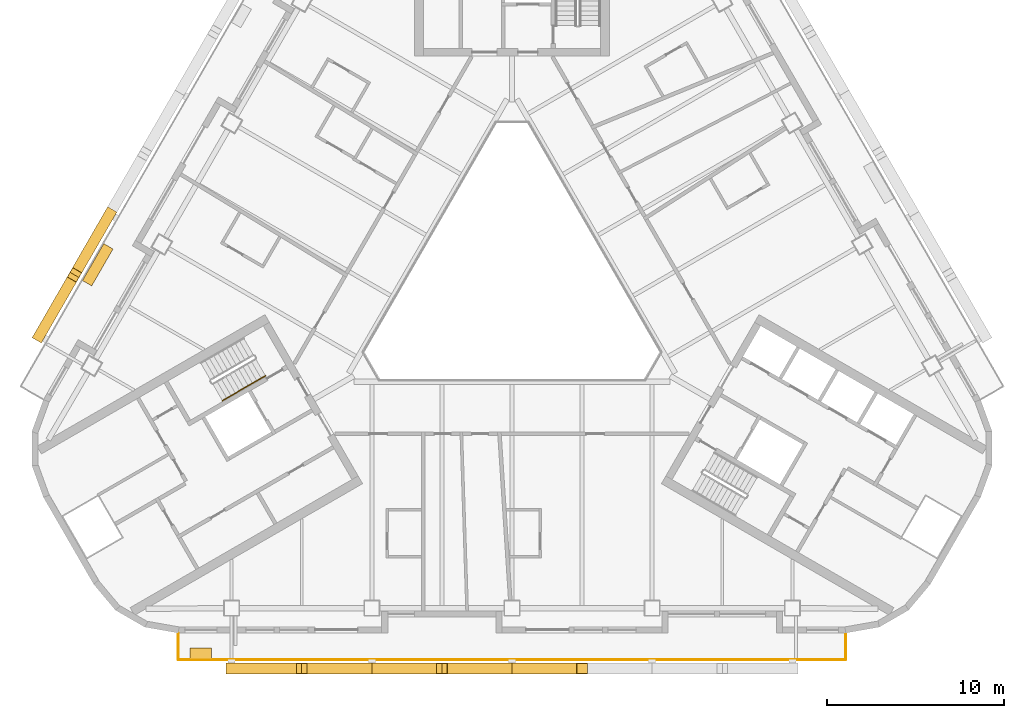
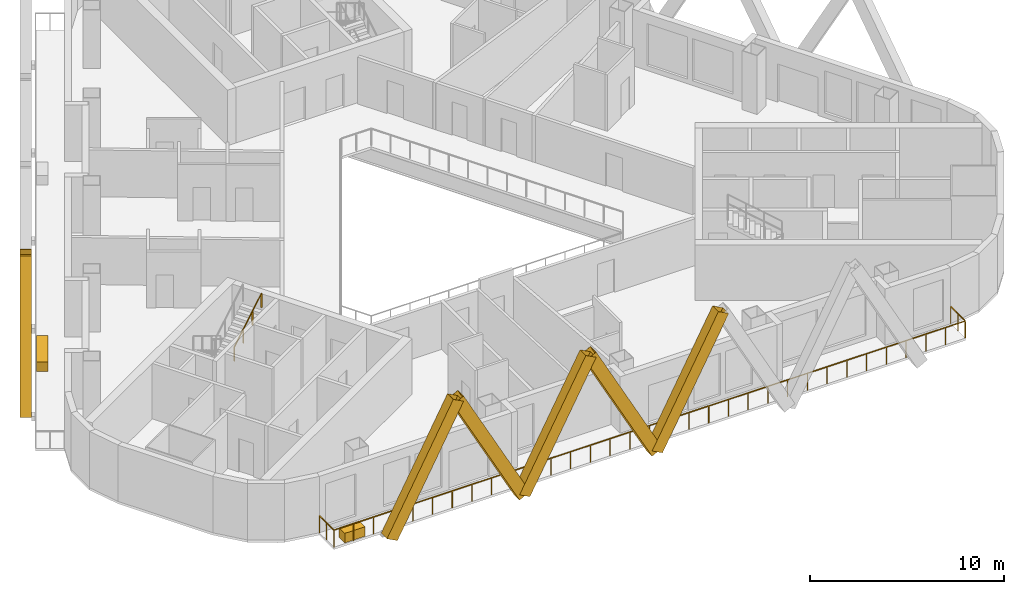
# One storey, part 8 of 13: 7 shading devices, 2 coverings, 2 railings.
"""IFC4 building model written with IfcOpenShell, lengths in metres."""

from ifc_helpers import new_model, si_unit, direction, frame, origin, origin_2d, place, context, subcontext, project, spatial, rectangle, hollow_rectangle, circle, extrude, material, material_profile, profile_set, type_object, element, save


model = new_model("IFC4")

# Units and contexts
model_context = context("Model", 3, precision=1e-05, world=origin(), true_north=direction((0.0, 1.0)))
body_context = subcontext(model_context, "Body", "Model", "MODEL_VIEW")
ifc_project = project(units=[si_unit("LENGTHUNIT", "METRE"), si_unit("AREAUNIT", "SQUARE_METRE"), si_unit("VOLUMEUNIT", "CUBIC_METRE"), si_unit("PLANEANGLEUNIT", "RADIAN"), si_unit("MASSUNIT", "GRAM", prefix="KILO")], contexts=[model_context])

# Site, building, storey
site_placement = place(None, origin())
site = spatial("IfcSite", under=ifc_project, at=site_placement, CompositionType="ELEMENT")
building_placement = place(site_placement, origin())
building = spatial("IfcBuilding", under=site, at=building_placement, Name="Apuvela Tower Hotel", CompositionType="ELEMENT")
storey_placement = place(building_placement, frame((0.0, 0.0, 105.699951171875)))
storey = spatial("IfcBuildingStorey", under=building, at=storey_placement, Name="L24", CompositionType="ELEMENT", Elevation=105.699951171875)

# Railing
ifc_material_1 = material(Name="Stainless steel 316 handrail", Category="steel")
railing_type_1 = type_object("IfcRailingType", Name="COR-HANDRAIL-900", PredefinedType="HANDRAIL", material=ifc_material_1)
railing_1_placement = place(storey_placement, frame((-16.31884765625, -6.534912109375, 2.018310546875)))
element("IfcRailing", 1, at=railing_1_placement, inside=storey, type_object=railing_type_1, Name="L24 ST2 stair handrail 2", PredefinedType="HANDRAIL", context=body_context, shape_type="SweptSolid", body=[
    extrude(circle(Radius=0.02392578125, at=origin_2d()), frame((0.0, 0.0, 0.8759765625), z_axis=(0.74241905619, 0.428617687091, 0.514879426), x_axis=(-0.49998411664, 0.866034573852, 0.0)), (0.0, 0.0, 1.0), 3.26611328125),
    extrude(rectangle(XDim=0.0419921875, YDim=0.0419921875, at=origin_2d()), origin(), (0.0, 0.0, 1.0), 0.851806640625),
    extrude(rectangle(XDim=0.0419921875, YDim=0.0419921875, at=origin_2d()), frame((0.808349609375, 0.466552734375, 0.560546875)), (0.0, 0.0, 1.0), 0.851806640625),
    extrude(rectangle(XDim=0.0419921875, YDim=0.0419921875, at=origin_2d()), frame((1.616455078125, 0.933349609375, 1.12109375)), (0.0, 0.0, 1.0), 0.851806640625),
    extrude(rectangle(XDim=0.0419921875, YDim=0.0419921875, at=origin_2d()), frame((2.4248046875, 1.39990234375, 1.681640625)), (0.0, 0.0, 1.0), 0.851806640625),
])

# Shading devices
ifc_material_2 = material(Name="Aluminium 6063-T6, black anodised", Category="aluminium")
ifc_material_profile = material_profile(ifc_material_2, hollow_rectangle(XDim=0.60009765625, YDim=0.699951171875, WallThickness=0.011962890625, at=origin_2d()), Name="AL BOX 700x600x12")
ifc_profile_set = profile_set([ifc_material_profile], Name="Aluminium 6063-T6, black anodised")
shading_device_type = type_object("IfcShadingDeviceType", Name="ENV-FIN-700x600", PredefinedType="USERDEFINED", material=ifc_profile_set)
for number, where, z_axis, x_axis, name in (
    (2, (-15.800048828125, -21.6298828125, -0.099853515625), (0.470897892863, 0.0, 0.882187720668), (0.0, 1.0, 0.0), "Lattice fin S161"),
    (3, (-7.89990234375, -21.6298828125, -0.099853515625), (-0.470920543904, 0.0, 0.882175629526), (0.0, -1.0, 0.0), "Lattice fin S162"),
    (4, (-7.89990234375, -21.6298828125, -0.099853515625), (0.470897892863, 0.0, 0.882187720668), (0.0, 1.0, 0.0), "Lattice fin S163"),
    (5, (0.0, -21.6298828125, -0.099853515625), (-0.470897892863, 0.0, 0.882187720668), (0.0, -1.0, 0.0), "Lattice fin S164"),
    (6, (0.0, -21.6298828125, -0.099853515625), (0.470897892863, 0.0, 0.882187720668), (0.0, 1.0, 0.0), "Lattice fin S165"),
    (7, (-22.68212890625, 3.973388671875, -0.099853515625), (-0.235433593518, -0.407824887177, 0.882184722404), (0.866047669374, -0.499961432884, 0.0), "Lattice fin NW263"),
    (8, (-26.632080078125, -2.8681640625, -0.099853515625), (0.235463880167, 0.407797827568, 0.882189148067), (-0.866005453737, 0.500034552904, 0.0), "Lattice fin NW264"),
):
    element("IfcShadingDevice", number, at=place(storey_placement, frame(where, z_axis=z_axis, x_axis=x_axis)), inside=storey, type_object=shading_device_type, Name=name, ObjectType="FIN", PredefinedType="USERDEFINED", context=body_context, shape_type="SweptSolid", body=[
        extrude(hollow_rectangle(XDim=0.60009765625, YDim=0.699951171875, WallThickness=0.011962890625, at=origin_2d()), origin(), (0.0, 0.0, 1.0), 8.38818359375),
    ])

# Railing
ifc_material_3 = material(Name="Stainless steel 316 rail with laminated glass infill", Category="steel")
railing_type_2 = type_object("IfcRailingType", Name="ENV-GUARD-1100", PredefinedType="GUARDRAIL", material=ifc_material_3)
railing_2_placement = place(storey_placement, frame((-18.81591796875, -19.6298828125, 0.0)))
element("IfcRailing", 9, at=railing_2_placement, inside=storey, type_object=railing_type_2, Name="Balcony guard S L24", PredefinedType="GUARDRAIL", context=body_context, shape_type="SweptSolid", body=[
    extrude(rectangle(XDim=0.050048828125, YDim=0.050048828125, at=origin_2d()), frame((0.0, 0.0, 1.0751953125), z_axis=(0.0, -1.0, 0.0), x_axis=(1.0, 0.0, 0.0)), (0.0, 0.0, 1.0), 1.5),
    extrude(rectangle(XDim=0.050048828125, YDim=0.050048828125, at=origin_2d()), frame((0.0, -1.5, 1.0751953125), z_axis=(1.0, 0.0, 0.0), x_axis=(0.0, 1.0, 0.0)), (0.0, 0.0, 1.0), 37.6318359375),
    extrude(rectangle(XDim=0.050048828125, YDim=0.050048828125, at=origin_2d()), frame((37.6318359375, -1.5, 1.0751953125), z_axis=(0.0, 1.0, 0.0), x_axis=(-1.0, 0.0, 0.0)), (0.0, 0.0, 1.0), 1.5),
    extrude(rectangle(XDim=0.0400390625, YDim=0.0400390625, at=origin_2d()), origin(), (0.0, 0.0, 1.0), 1.050048828125),
    extrude(rectangle(XDim=0.0400390625, YDim=0.0400390625, at=origin_2d()), frame((0.0, -0.75, 0.0)), (0.0, 0.0, 1.0), 1.050048828125),
    extrude(rectangle(XDim=0.0400390625, YDim=0.0400390625, at=origin_2d()), frame((0.0, -1.5, 0.0)), (0.0, 0.0, 1.0), 1.050048828125),
    extrude(rectangle(XDim=0.0400390625, YDim=0.0400390625, at=origin_2d()), frame((1.176025390625, -1.5, 0.0)), (0.0, 0.0, 1.0), 1.050048828125),
    extrude(rectangle(XDim=0.0400390625, YDim=0.0400390625, at=origin_2d()), frame((2.35205078125, -1.5, 0.0)), (0.0, 0.0, 1.0), 1.050048828125),
    extrude(rectangle(XDim=0.0400390625, YDim=0.0400390625, at=origin_2d()), frame((3.528076171875, -1.5, 0.0)), (0.0, 0.0, 1.0), 1.050048828125),
    extrude(rectangle(XDim=0.0400390625, YDim=0.0400390625, at=origin_2d()), frame((4.7041015625, -1.5, 0.0)), (0.0, 0.0, 1.0), 1.050048828125),
    extrude(rectangle(XDim=0.0400390625, YDim=0.0400390625, at=origin_2d()), frame((5.8798828125, -1.5, 0.0)), (0.0, 0.0, 1.0), 1.050048828125),
    extrude(rectangle(XDim=0.0400390625, YDim=0.0400390625, at=origin_2d()), frame((7.055908203125, -1.5, 0.0)), (0.0, 0.0, 1.0), 1.050048828125),
    extrude(rectangle(XDim=0.0400390625, YDim=0.0400390625, at=origin_2d()), frame((8.23193359375, -1.5, 0.0)), (0.0, 0.0, 1.0), 1.050048828125),
    extrude(rectangle(XDim=0.0400390625, YDim=0.0400390625, at=origin_2d()), frame((9.407958984375, -1.5, 0.0)), (0.0, 0.0, 1.0), 1.050048828125),
    extrude(rectangle(XDim=0.0400390625, YDim=0.0400390625, at=origin_2d()), frame((10.583984375, -1.5, 0.0)), (0.0, 0.0, 1.0), 1.050048828125),
    extrude(rectangle(XDim=0.0400390625, YDim=0.0400390625, at=origin_2d()), frame((11.760009765625, -1.5, 0.0)), (0.0, 0.0, 1.0), 1.050048828125),
    extrude(rectangle(XDim=0.0400390625, YDim=0.0400390625, at=origin_2d()), frame((12.93603515625, -1.5, 0.0)), (0.0, 0.0, 1.0), 1.050048828125),
    extrude(rectangle(XDim=0.0400390625, YDim=0.0400390625, at=origin_2d()), frame((14.11181640625, -1.5, 0.0)), (0.0, 0.0, 1.0), 1.050048828125),
    extrude(rectangle(XDim=0.0400390625, YDim=0.0400390625, at=origin_2d()), frame((15.287841796875, -1.5, 0.0)), (0.0, 0.0, 1.0), 1.050048828125),
    extrude(rectangle(XDim=0.0400390625, YDim=0.0400390625, at=origin_2d()), frame((16.4638671875, -1.5, 0.0)), (0.0, 0.0, 1.0), 1.050048828125),
    extrude(rectangle(XDim=0.0400390625, YDim=0.0400390625, at=origin_2d()), frame((17.639892578125, -1.5, 0.0)), (0.0, 0.0, 1.0), 1.050048828125),
    extrude(rectangle(XDim=0.0400390625, YDim=0.0400390625, at=origin_2d()), frame((18.81591796875, -1.5, 0.0)), (0.0, 0.0, 1.0), 1.050048828125),
    extrude(rectangle(XDim=0.0400390625, YDim=0.0400390625, at=origin_2d()), frame((19.991943359375, -1.5, 0.0)), (0.0, 0.0, 1.0), 1.050048828125),
    extrude(rectangle(XDim=0.0400390625, YDim=0.0400390625, at=origin_2d()), frame((21.16796875, -1.5, 0.0)), (0.0, 0.0, 1.0), 1.050048828125),
    extrude(rectangle(XDim=0.0400390625, YDim=0.0400390625, at=origin_2d()), frame((22.343994140625, -1.5, 0.0)), (0.0, 0.0, 1.0), 1.050048828125),
    extrude(rectangle(XDim=0.0400390625, YDim=0.0400390625, at=origin_2d()), frame((23.52001953125, -1.5, 0.0)), (0.0, 0.0, 1.0), 1.050048828125),
    extrude(rectangle(XDim=0.0400390625, YDim=0.0400390625, at=origin_2d()), frame((24.69580078125, -1.5, 0.0)), (0.0, 0.0, 1.0), 1.050048828125),
    extrude(rectangle(XDim=0.0400390625, YDim=0.0400390625, at=origin_2d()), frame((25.871826171875, -1.5, 0.0)), (0.0, 0.0, 1.0), 1.050048828125),
    extrude(rectangle(XDim=0.0400390625, YDim=0.0400390625, at=origin_2d()), frame((27.0478515625, -1.5, 0.0)), (0.0, 0.0, 1.0), 1.050048828125),
    extrude(rectangle(XDim=0.0400390625, YDim=0.0400390625, at=origin_2d()), frame((28.223876953125, -1.5, 0.0)), (0.0, 0.0, 1.0), 1.050048828125),
    extrude(rectangle(XDim=0.0400390625, YDim=0.0400390625, at=origin_2d()), frame((29.39990234375, -1.5, 0.0)), (0.0, 0.0, 1.0), 1.050048828125),
    extrude(rectangle(XDim=0.0400390625, YDim=0.0400390625, at=origin_2d()), frame((30.575927734375, -1.5, 0.0)), (0.0, 0.0, 1.0), 1.050048828125),
    extrude(rectangle(XDim=0.0400390625, YDim=0.0400390625, at=origin_2d()), frame((31.751953125, -1.5, 0.0)), (0.0, 0.0, 1.0), 1.050048828125),
    extrude(rectangle(XDim=0.0400390625, YDim=0.0400390625, at=origin_2d()), frame((32.927734375, -1.5, 0.0)), (0.0, 0.0, 1.0), 1.050048828125),
    extrude(rectangle(XDim=0.0400390625, YDim=0.0400390625, at=origin_2d()), frame((34.103759765625, -1.5, 0.0)), (0.0, 0.0, 1.0), 1.050048828125),
    extrude(rectangle(XDim=0.0400390625, YDim=0.0400390625, at=origin_2d()), frame((35.27978515625, -1.5, 0.0)), (0.0, 0.0, 1.0), 1.050048828125),
    extrude(rectangle(XDim=0.0400390625, YDim=0.0400390625, at=origin_2d()), frame((36.455810546875, -1.5, 0.0)), (0.0, 0.0, 1.0), 1.050048828125),
    extrude(rectangle(XDim=0.0400390625, YDim=0.0400390625, at=origin_2d()), frame((37.6318359375, -1.5, 0.0)), (0.0, 0.0, 1.0), 1.050048828125),
    extrude(rectangle(XDim=0.0400390625, YDim=0.0400390625, at=origin_2d()), frame((37.6318359375, -0.75, 0.0)), (0.0, 0.0, 1.0), 1.050048828125),
    extrude(rectangle(XDim=0.0400390625, YDim=0.0400390625, at=origin_2d()), frame((37.6318359375, 0.0, 0.0)), (0.0, 0.0, 1.0), 1.050048828125),
])

# Coverings
ifc_material_4 = material(Name="Planting substrate and soil, planted")
covering_type_1 = type_object("IfcCoveringType", Name="ENV-PLANTER-1200x600", PredefinedType="USERDEFINED", material=ifc_material_4)
covering_1_placement = place(storey_placement, frame((-17.53515625, -20.780029296875, 0.0), z_axis=(0.0, 0.0, 1.0), x_axis=(1.0, 0.0, 0.0)))
element("IfcCovering", 10, at=covering_1_placement, inside=storey, type_object=covering_type_1, Name="Planter S1", ObjectType="PLANTER", PredefinedType="USERDEFINED", context=body_context, shape_type="SweptSolid", body=[
    extrude(rectangle(XDim=1.199951171875, YDim=0.60009765625, at=origin_2d()), origin(), (0.0, 0.0, 1.0), 0.60009765625),
])
covering_type_2 = type_object("IfcCoveringType", Name="ENV-PLANTER-2400x600", PredefinedType="USERDEFINED", material=ifc_material_4)
covering_2_placement = place(storey_placement, frame((-23.345947265625, 1.12353515625, 0.0), z_axis=(0.0, 0.0, 1.0), x_axis=(-0.5, -0.866025403784, 0.0)))
element("IfcCovering", 11, at=covering_2_placement, inside=storey, type_object=covering_type_2, Name="Planter NW4", ObjectType="PLANTER", PredefinedType="USERDEFINED", context=body_context, shape_type="SweptSolid", body=[
    extrude(rectangle(XDim=2.39990234375, YDim=0.60009765625, at=origin_2d()), origin(), (0.0, 0.0, 1.0), 0.60009765625),
])

save(model, "model.ifc")
